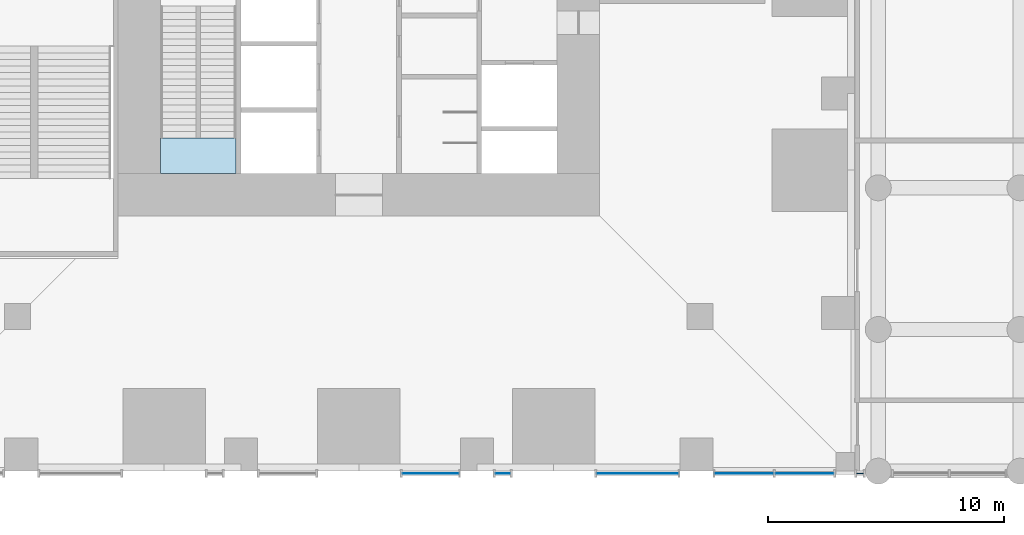
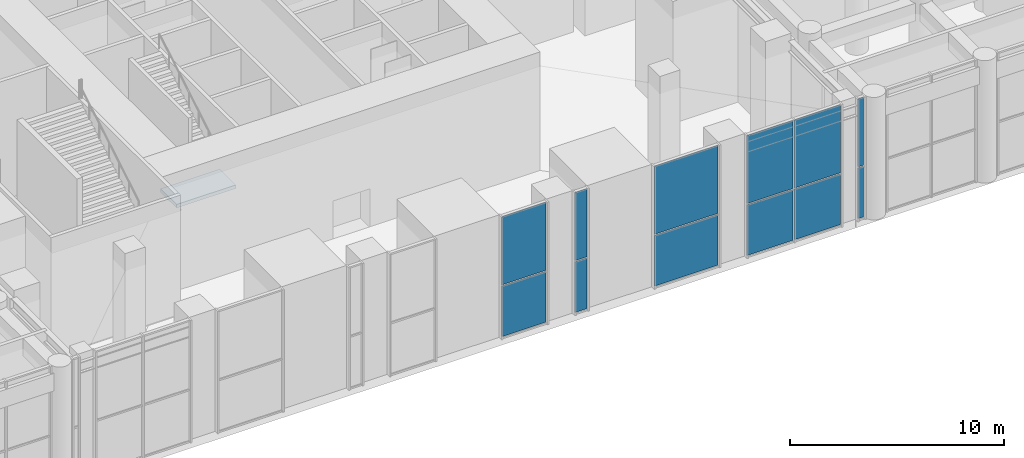
# One storey, part 17 of 30: 12 plates, 1 slab, 6 elements without a shape of their own.
"""IFC4 building model written with IfcOpenShell, lengths in metres."""

from ifc_helpers import new_model, si_unit, direction, frame, origin, origin_2d, place, context, subcontext, project, spatial, polyline, rectangle, outline, extrude, material, layer, layer_set, type_object, element, aggregate, save


model = new_model("IFC4")

# Units and contexts
model_context = context("Model", 3, precision=1e-05, world=origin(), true_north=direction((0.0, 1.0)))
body_context = subcontext(model_context, "Body", "Model", "MODEL_VIEW")
ifc_project = project(units=[si_unit("LENGTHUNIT", "METRE"), si_unit("AREAUNIT", "SQUARE_METRE"), si_unit("VOLUMEUNIT", "CUBIC_METRE"), si_unit("PLANEANGLEUNIT", "RADIAN"), si_unit("MASSUNIT", "GRAM", prefix="KILO")], contexts=[model_context])

# Site, building, storey
site_placement = place(None, origin())
site = spatial("IfcSite", under=ifc_project, at=site_placement, CompositionType="ELEMENT")
building_placement = place(site_placement, origin())
building = spatial("IfcBuilding", under=site, at=building_placement, Name="Svetlomir Tower", CompositionType="ELEMENT")
storey_placement = place(building_placement, frame((0.0, 0.0, 11.0)))
storey = spatial("IfcBuildingStorey", under=building, at=storey_placement, Name="L02", CompositionType="ELEMENT", Elevation=11.0)

# Curtain wall, plates
ifc_material_1 = material(Name="Bronze anodised aluminium curtain wall", Category="aluminium")
curtain_wall_type = type_object("IfcCurtainWallType", Name="CURTAIN WALL CW5 PODIUM", PredefinedType="NOTDEFINED", material=ifc_material_1)
curtain_wall_1_placement = place(storey_placement, origin())
curtain_wall_1 = element("IfcCurtainWall", 1, at=curtain_wall_1_placement, inside=storey, type_object=curtain_wall_type, Name="Curtain wall CW5 L02", PredefinedType="NOTDEFINED")
ifc_material_2 = material(Name="Tinted double glazed unit", Category="glass")
ifc_layer_1 = layer(ifc_material_2, 0.0400390625)
ifc_layer_set_1 = layer_set([ifc_layer_1], Name="Tinted double glazed unit")
plate_type = type_object("IfcPlateType", Name="CW5 GLAZED PANEL 40", PredefinedType="CURTAIN_PANEL", material=ifc_layer_set_1)
plate_1_placement = place(storey_placement, frame((24.02490234375, -0.10009765625, 0.080078125), z_axis=(0.0, 0.0, 1.0), x_axis=(1.0, 0.0, 0.0)))
plate_1 = element("IfcPlate", 2, at=plate_1_placement, type_object=plate_type, Name="CW5 panel 1.1", PredefinedType="CURTAIN_PANEL", context=body_context, shape_type="SweptSolid", body=[
    extrude(rectangle(XDim=2.389892578125, YDim=0.0400390625, at=origin_2d()), origin(), (0.0, 0.0, 1.0), 2.8798828125),
])
plate_2_placement = place(storey_placement, frame((24.02490234375, -0.10009765625, 3.0400390625), z_axis=(0.0, 0.0, 1.0), x_axis=(1.0, 0.0, 0.0)))
plate_2 = element("IfcPlate", 3, at=plate_2_placement, type_object=plate_type, Name="CW5 panel 1.2", PredefinedType="CURTAIN_PANEL", context=body_context, shape_type="SweptSolid", body=[
    extrude(rectangle(XDim=2.389892578125, YDim=0.0400390625, at=origin_2d()), origin(), (0.0, 0.0, 1.0), 3.8798828125),
])
aggregate(curtain_wall_1, [plate_1, plate_2])

curtain_wall_2_placement = place(storey_placement, origin())
curtain_wall_2 = element("IfcCurtainWall", 4, at=curtain_wall_2_placement, inside=storey, type_object=curtain_wall_type, Name="Curtain wall CW5 L02", PredefinedType="NOTDEFINED")
plate_3_placement = place(storey_placement, frame((27.10009765625, -0.10009765625, 0.080078125), z_axis=(0.0, 0.0, 1.0), x_axis=(1.0, 0.0, 0.0)))
plate_3 = element("IfcPlate", 5, at=plate_3_placement, type_object=plate_type, Name="CW5 panel 1.1", PredefinedType="CURTAIN_PANEL", context=body_context, shape_type="SweptSolid", body=[
    extrude(rectangle(XDim=0.639892578125, YDim=0.0400390625, at=origin_2d()), origin(), (0.0, 0.0, 1.0), 2.8798828125),
])
plate_4_placement = place(storey_placement, frame((27.10009765625, -0.10009765625, 3.0400390625), z_axis=(0.0, 0.0, 1.0), x_axis=(1.0, 0.0, 0.0)))
plate_4 = element("IfcPlate", 6, at=plate_4_placement, type_object=plate_type, Name="CW5 panel 1.2", PredefinedType="CURTAIN_PANEL", context=body_context, shape_type="SweptSolid", body=[
    extrude(rectangle(XDim=0.639892578125, YDim=0.0400390625, at=origin_2d()), origin(), (0.0, 0.0, 1.0), 3.8798828125),
])
aggregate(curtain_wall_2, [plate_3, plate_4])

curtain_wall_3_placement = place(storey_placement, origin())
curtain_wall_3 = element("IfcCurtainWall", 7, at=curtain_wall_3_placement, inside=storey, type_object=curtain_wall_type, Name="Curtain wall CW5 L02", PredefinedType="NOTDEFINED")
plate_5_placement = place(storey_placement, frame((32.800048828125, -0.10009765625, 0.080078125), z_axis=(0.0, 0.0, 1.0), x_axis=(1.0, 0.0, 0.0)))
plate_5 = element("IfcPlate", 8, at=plate_5_placement, type_object=plate_type, Name="CW5 panel 1.1", PredefinedType="CURTAIN_PANEL", context=body_context, shape_type="SweptSolid", body=[
    extrude(rectangle(XDim=3.43994140625, YDim=0.0400390625, at=origin_2d()), origin(), (0.0, 0.0, 1.0), 2.8798828125),
])
plate_6_placement = place(storey_placement, frame((32.800048828125, -0.10009765625, 3.0400390625), z_axis=(0.0, 0.0, 1.0), x_axis=(1.0, 0.0, 0.0)))
plate_6 = element("IfcPlate", 9, at=plate_6_placement, type_object=plate_type, Name="CW5 panel 1.2", PredefinedType="CURTAIN_PANEL", context=body_context, shape_type="SweptSolid", body=[
    extrude(rectangle(XDim=3.43994140625, YDim=0.0400390625, at=origin_2d()), origin(), (0.0, 0.0, 1.0), 3.8798828125),
])
aggregate(curtain_wall_3, [plate_5, plate_6])

curtain_wall_4_placement = place(storey_placement, origin())
curtain_wall_4 = element("IfcCurtainWall", 10, at=curtain_wall_4_placement, inside=storey, type_object=curtain_wall_type, Name="Curtain wall CW5 L02", PredefinedType="NOTDEFINED")
plate_7_placement = place(storey_placement, frame((37.320068359375, -0.10009765625, 0.080078125), z_axis=(0.0, 0.0, 1.0), x_axis=(1.0, 0.0, 0.0)))
plate_7 = element("IfcPlate", 11, at=plate_7_placement, type_object=plate_type, Name="CW5 panel 1.1", PredefinedType="CURTAIN_PANEL", context=body_context, shape_type="SweptSolid", body=[
    extrude(rectangle(XDim=2.47998046875, YDim=0.0400390625, at=origin_2d()), origin(), (0.0, 0.0, 1.0), 2.8798828125),
])
plate_8_placement = place(storey_placement, frame((37.320068359375, -0.10009765625, 3.0400390625), z_axis=(0.0, 0.0, 1.0), x_axis=(1.0, 0.0, 0.0)))
plate_8 = element("IfcPlate", 12, at=plate_8_placement, type_object=plate_type, Name="CW5 panel 1.2", PredefinedType="CURTAIN_PANEL", context=body_context, shape_type="SweptSolid", body=[
    extrude(rectangle(XDim=2.47998046875, YDim=0.0400390625, at=origin_2d()), origin(), (0.0, 0.0, 1.0), 3.8798828125),
])
plate_9_placement = place(storey_placement, frame((39.8798828125, -0.10009765625, 0.080078125), z_axis=(0.0, 0.0, 1.0), x_axis=(1.0, 0.0, 0.0)))
plate_9 = element("IfcPlate", 13, at=plate_9_placement, type_object=plate_type, Name="CW5 panel 2.1", PredefinedType="CURTAIN_PANEL", context=body_context, shape_type="SweptSolid", body=[
    extrude(rectangle(XDim=2.47998046875, YDim=0.0400390625, at=origin_2d()), origin(), (0.0, 0.0, 1.0), 2.8798828125),
])
plate_10_placement = place(storey_placement, frame((39.8798828125, -0.10009765625, 3.0400390625), z_axis=(0.0, 0.0, 1.0), x_axis=(1.0, 0.0, 0.0)))
plate_10 = element("IfcPlate", 14, at=plate_10_placement, type_object=plate_type, Name="CW5 panel 2.2", PredefinedType="CURTAIN_PANEL", context=body_context, shape_type="SweptSolid", body=[
    extrude(rectangle(XDim=2.47998046875, YDim=0.0400390625, at=origin_2d()), origin(), (0.0, 0.0, 1.0), 3.8798828125),
])
aggregate(curtain_wall_4, [plate_7, plate_8, plate_9, plate_10])

curtain_wall_5_placement = place(storey_placement, origin())
curtain_wall_5 = element("IfcCurtainWall", 15, at=curtain_wall_5_placement, inside=storey, type_object=curtain_wall_type, Name="Curtain wall CW5 L02", PredefinedType="NOTDEFINED")
plate_11_placement = place(storey_placement, frame((42.22509765625, -0.10009765625, 0.080078125), z_axis=(0.0, 0.0, 1.0), x_axis=(1.0, 0.0, 0.0)))
plate_11 = element("IfcPlate", 16, at=plate_11_placement, type_object=plate_type, Name="CW5 panel 1.1", PredefinedType="CURTAIN_PANEL", context=body_context, shape_type="SweptSolid", body=[
    extrude(rectangle(XDim=0.2900390625, YDim=0.0400390625, at=origin_2d()), origin(), (0.0, 0.0, 1.0), 2.8798828125),
])
plate_12_placement = place(storey_placement, frame((42.22509765625, -0.10009765625, 3.0400390625), z_axis=(0.0, 0.0, 1.0), x_axis=(1.0, 0.0, 0.0)))
plate_12 = element("IfcPlate", 17, at=plate_12_placement, type_object=plate_type, Name="CW5 panel 1.2", PredefinedType="CURTAIN_PANEL", context=body_context, shape_type="SweptSolid", body=[
    extrude(rectangle(XDim=0.2900390625, YDim=0.0400390625, at=origin_2d()), origin(), (0.0, 0.0, 1.0), 3.8798828125),
])
aggregate(curtain_wall_5, [plate_11, plate_12])

# Stair, slab
ifc_material_3 = material(Name="Concrete C60/75", Category="concrete")
stair_type = type_object("IfcStairType", Name="EXIT STAIR 3200 RISE 7000", PredefinedType="HALF_TURN_STAIR", material=ifc_material_3)
stair_placement = place(storey_placement, origin())
stair = element("IfcStair", 18, at=stair_placement, inside=storey, type_object=stair_type, Name="Stair S1 L02 to L03", PredefinedType="HALF_TURN_STAIR")
ifc_material_4 = material(Name="Concrete C60/75", Category="concrete")
ifc_layer_2 = layer(ifc_material_4, 0.199951171875)
ifc_layer_set_2 = layer_set([ifc_layer_2], Name="Concrete C60/75")
slab_type = type_object("IfcSlabType", Name="STAIR LANDING 200", PredefinedType="LANDING", material=ifc_layer_set_2)
slab_placement = place(storey_placement, frame((0.0, 0.0, 3.300048828125)))
slab = element("IfcSlab", 19, at=slab_placement, type_object=slab_type, Name="S1 landing 1", PredefinedType="LANDING", context=body_context, shape_type="SweptSolid", body=[
    extrude(outline(polyline([(12.60009765625, 12.60009765625), (15.800048828125, 12.60009765625), (15.800048828125, 14.10009765625), (12.60009765625, 14.10009765625), (12.60009765625, 12.60009765625)])), origin(), (0.0, 0.0, 1.0), 0.199951171875),
])
aggregate(stair, [slab])

save(model, "model.ifc")
